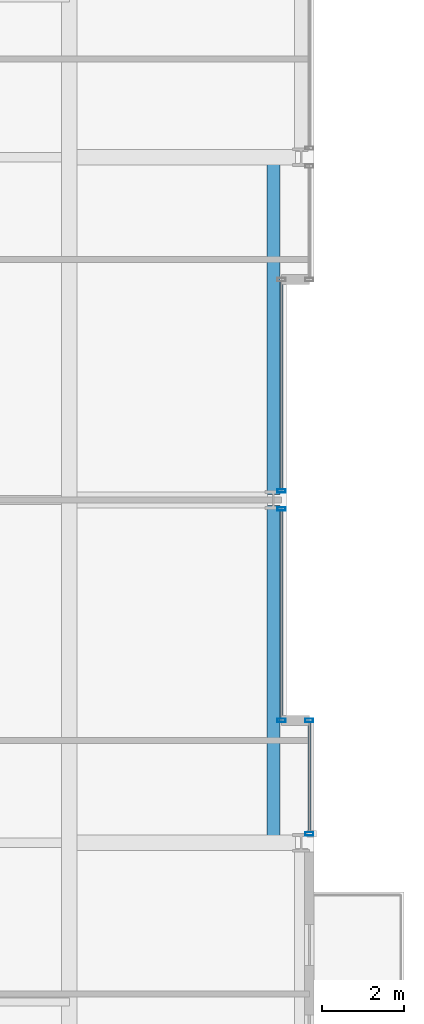
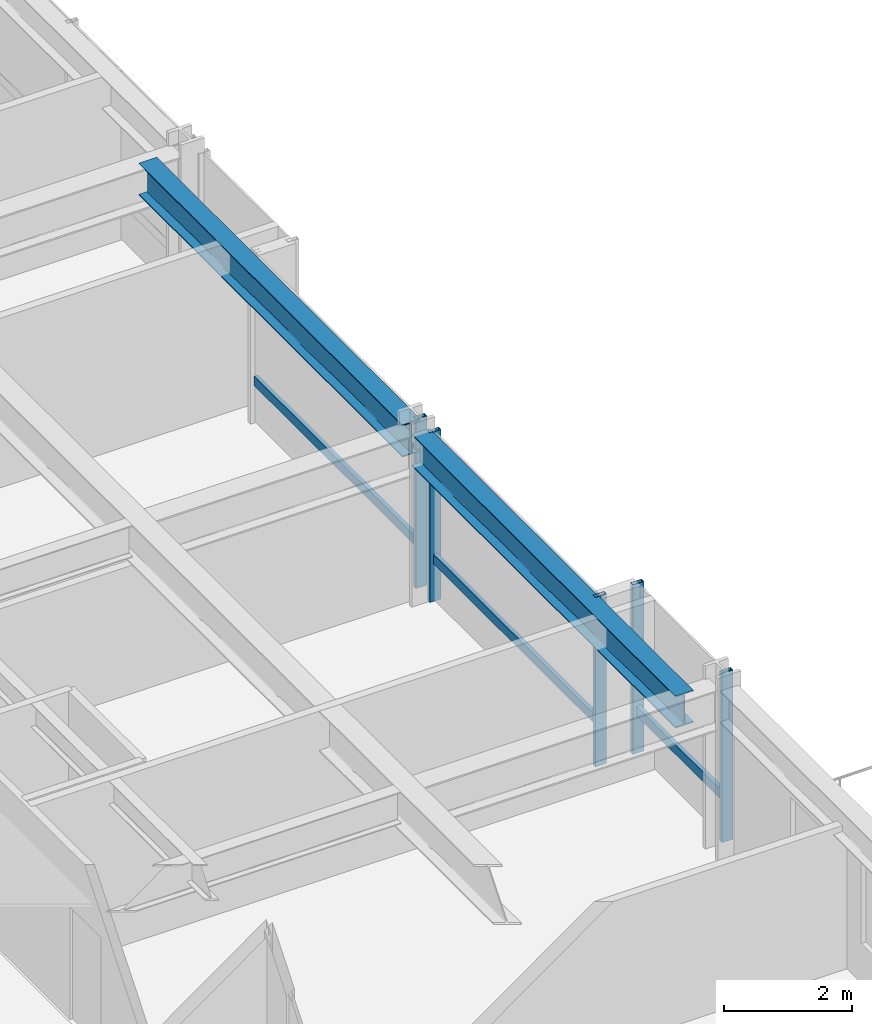
# One storey, part 15 of 34: 8 members, 2 beams, 3 elements without a shape of their own.
"""IFC4 building model written with IfcOpenShell, lengths in metres."""

from ifc_helpers import new_model, si_unit, direction, frame, origin, origin_2d, place, context, subcontext, project, spatial, hollow_rectangle, i_section, extrude, material, layer, layer_set, material_profile, profile_set, type_object, element, aggregate, save


model = new_model("IFC4")

# Units and contexts
model_context = context("Model", 3, precision=1e-05, world=origin(), true_north=direction((0.0, 1.0)))
body_context = subcontext(model_context, "Body", "Model", "MODEL_VIEW")
ifc_project = project(units=[si_unit("LENGTHUNIT", "METRE"), si_unit("AREAUNIT", "SQUARE_METRE"), si_unit("VOLUMEUNIT", "CUBIC_METRE"), si_unit("PLANEANGLEUNIT", "RADIAN"), si_unit("MASSUNIT", "GRAM", prefix="KILO")], contexts=[model_context])

# Site, building, storey
site_placement = place(None, origin())
site = spatial("IfcSite", under=ifc_project, at=site_placement, CompositionType="ELEMENT")
building_placement = place(site_placement, origin())
building = spatial("IfcBuilding", under=site, at=building_placement, Name="Drelvath Grand Hotel", CompositionType="ELEMENT")
storey_placement = place(building_placement, frame((0.0, 0.0, 91.800048828125)))
storey = spatial("IfcBuildingStorey", under=building, at=storey_placement, Name="L22", CompositionType="ELEMENT", Elevation=91.800048828125)

# Curtain wall, member
ifc_material_1 = material(Name="Champagne Bronze Anodised Aluminium Frame", Category="aluminium")
ifc_layer = layer(ifc_material_1, 0.199951171875)
ifc_layer_set = layer_set([ifc_layer], Name="Champagne Bronze Anodised Aluminium Frame")
curtain_wall_type = type_object("IfcCurtainWallType", Name="Stick Curtain Wall CW-03 Champagne Bronze Mid-Rise", PredefinedType="NOTDEFINED", material=ifc_layer_set)
curtain_wall_1_placement = place(storey_placement, origin())
curtain_wall_1 = element("IfcCurtainWall", 1, at=curtain_wall_1_placement, inside=storey, type_object=curtain_wall_type, Name="L22 CW-03 Curtain Wall CW03-L22-EM1", PredefinedType="NOTDEFINED")
ifc_material_profile_1 = material_profile(ifc_material_1, hollow_rectangle(XDim=0.074951171875, YDim=0.179931640625, WallThickness=0.0048828125, at=origin_2d()), Name="HSS180X75X5")
ifc_profile_set_1 = profile_set([ifc_material_profile_1], Name="Champagne Bronze Anodised Aluminium Frame")
member_type_1 = type_object("IfcMemberType", Name="Curtain Wall Horizontal Transom CW-03 HSS180X75X5", PredefinedType="USERDEFINED", material=ifc_profile_set_1)
member_1_placement = place(storey_placement, frame((21.39990234375, 26.740478515625, 0.81005859375), z_axis=(0.0, -1.0, 0.0), x_axis=(1.0, 0.0, 0.0)))
member_1 = element("IfcMember", 2, at=member_1_placement, type_object=member_type_1, Name="CW03-L22-EM1 Sill Transom", ObjectType="TRANSOM", PredefinedType="USERDEFINED", context=body_context, shape_type="SweptSolid", body=[
    extrude(hollow_rectangle(XDim=0.074951171875, YDim=0.179931640625, WallThickness=0.0048828125, at=origin_2d()), origin(), (0.0, 0.0, 1.0), 5.1005859375),
])

curtain_wall_2_placement = place(storey_placement, origin())
curtain_wall_2 = element("IfcCurtainWall", 3, at=curtain_wall_2_placement, inside=storey, type_object=curtain_wall_type, Name="L22 CW-03 Curtain Wall CW03-L22-EM2", PredefinedType="NOTDEFINED")
member_2_placement = place(storey_placement, frame((21.39990234375, 32.360107421875, 0.81005859375), z_axis=(0.0, -1.0, 0.0), x_axis=(1.0, 0.0, 0.0)))
member_2 = element("IfcMember", 4, at=member_2_placement, type_object=member_type_1, Name="CW03-L22-EM2 Sill Transom", ObjectType="TRANSOM", PredefinedType="USERDEFINED", context=body_context, shape_type="SweptSolid", body=[
    extrude(hollow_rectangle(XDim=0.074951171875, YDim=0.179931640625, WallThickness=0.0048828125, at=origin_2d()), origin(), (0.0, 0.0, 1.0), 5.1005859375),
])

curtain_wall_3_placement = place(storey_placement, origin())
curtain_wall_3 = element("IfcCurtainWall", 5, at=curtain_wall_3_placement, inside=storey, type_object=curtain_wall_type, Name="L22 CW-03 Curtain Wall CW03-L22-ES3", PredefinedType="NOTDEFINED")
member_3_placement = place(storey_placement, frame((22.080078125, 21.56005859375, 0.81005859375), z_axis=(0.0, -1.0, 0.0), x_axis=(1.0, 0.0, 0.0)))
member_3 = element("IfcMember", 6, at=member_3_placement, type_object=member_type_1, Name="CW03-L22-ES3 Sill Transom", ObjectType="TRANSOM", PredefinedType="USERDEFINED", context=body_context, shape_type="SweptSolid", body=[
    extrude(hollow_rectangle(XDim=0.074951171875, YDim=0.179931640625, WallThickness=0.0048828125, at=origin_2d()), origin(), (0.0, 0.0, 1.0), 2.700439453125),
])

# Member
ifc_material_profile_2 = material_profile(ifc_material_1, hollow_rectangle(XDim=0.080078125, YDim=0.199951171875, WallThickness=0.0048828125, at=origin_2d()), Name="HSS200X80X5")
ifc_profile_set_2 = profile_set([ifc_material_profile_2], Name="Champagne Bronze Anodised Aluminium Frame")
member_type_2 = type_object("IfcMemberType", Name="Curtain Wall Vertical Mullion CW-03 HSS200X80X5", PredefinedType="MULLION", material=ifc_profile_set_2)
member_4_placement = place(storey_placement, frame((21.39990234375, 26.780517578125, 0.0), z_axis=(0.0, 0.0, 1.0), x_axis=(0.0, 1.0, 0.0)))
member_4 = element("IfcMember", 7, at=member_4_placement, type_object=member_type_2, Name="CW03-L22-EM1 Mullion 1", PredefinedType="MULLION", context=body_context, shape_type="SweptSolid", body=[
    extrude(hollow_rectangle(XDim=0.080078125, YDim=0.199951171875, WallThickness=0.0048828125, at=origin_2d()), origin(), (0.0, 0.0, 1.0), 3.239990234375),
])

member_5_placement = place(storey_placement, frame((21.39990234375, 21.60009765625, 0.0), z_axis=(0.0, 0.0, 1.0), x_axis=(0.0, 1.0, 0.0)))
member_5 = element("IfcMember", 8, at=member_5_placement, type_object=member_type_2, Name="CW03-L22-EM1 Mullion 2", PredefinedType="MULLION", context=body_context, shape_type="SweptSolid", body=[
    extrude(hollow_rectangle(XDim=0.080078125, YDim=0.199951171875, WallThickness=0.0048828125, at=origin_2d()), origin(), (0.0, 0.0, 1.0), 3.239990234375),
])

aggregate(curtain_wall_1, [member_4, member_5, member_1])

member_6_placement = place(storey_placement, frame((21.39990234375, 27.219482421875, 0.0), z_axis=(0.0, 0.0, 1.0), x_axis=(0.0, 1.0, 0.0)))
member_6 = element("IfcMember", 9, at=member_6_placement, type_object=member_type_2, Name="CW03-L22-EM2 Mullion 2", PredefinedType="MULLION", context=body_context, shape_type="SweptSolid", body=[
    extrude(hollow_rectangle(XDim=0.080078125, YDim=0.199951171875, WallThickness=0.0048828125, at=origin_2d()), origin(), (0.0, 0.0, 1.0), 3.239990234375),
])

aggregate(curtain_wall_2, [member_6, member_2])

member_7_placement = place(storey_placement, frame((22.080078125, 21.60009765625, 0.0), z_axis=(0.0, 0.0, 1.0), x_axis=(0.0, 1.0, 0.0)))
member_7 = element("IfcMember", 10, at=member_7_placement, type_object=member_type_2, Name="CW03-L22-ES3 Mullion 1", PredefinedType="MULLION", context=body_context, shape_type="SweptSolid", body=[
    extrude(hollow_rectangle(XDim=0.080078125, YDim=0.199951171875, WallThickness=0.0048828125, at=origin_2d()), origin(), (0.0, 0.0, 1.0), 3.239990234375),
])

member_8_placement = place(storey_placement, frame((22.080078125, 18.819580078125, 0.0), z_axis=(0.0, 0.0, 1.0), x_axis=(0.0, 1.0, 0.0)))
member_8 = element("IfcMember", 11, at=member_8_placement, type_object=member_type_2, Name="CW03-L22-ES3 Mullion 2", PredefinedType="MULLION", context=body_context, shape_type="SweptSolid", body=[
    extrude(hollow_rectangle(XDim=0.080078125, YDim=0.199951171875, WallThickness=0.0048828125, at=origin_2d()), origin(), (0.0, 0.0, 1.0), 3.239990234375),
])

aggregate(curtain_wall_3, [member_7, member_8, member_3])

# Beams
ifc_material_2 = material(Name="Steel ASTM A992 Gr 50", Category="steel")
ifc_material_profile_3 = material_profile(ifc_material_2, i_section(OverallWidth=0.323974609375, OverallDepth=0.611083984375, WebThickness=0.0126953125, FlangeThickness=0.01904296875, FilletRadius=0.02197265625, at=origin_2d()), Name="W24X104")
ifc_profile_set_3 = profile_set([ifc_material_profile_3], Name="Steel ASTM A992 Gr 50")
beam_type = type_object("IfcBeamType", Name="Perimeter Spandrel Beam W24X104", PredefinedType="SPANDREL", material=ifc_profile_set_3)
for number, where, z_axis, x_axis, name in (
    (12, (21.199951171875, 18.60009765625, 2.9345703125), (0.0, 1.0, 0.0), (-1.0, 0.0, 0.0), "L22 Spandrel East Mid S"),
    (13, (21.199951171875, 27.139892578125, 2.9345703125), (0.0, 1.0, 0.0), (-1.0, 0.0, 0.0), "L22 Spandrel East Mid N"),
):
    element("IfcBeam", number, at=place(storey_placement, frame(where, z_axis=z_axis, x_axis=x_axis)), inside=storey, type_object=beam_type, Name=name, PredefinedType="SPANDREL", context=body_context, shape_type="SweptSolid", body=[
        extrude(i_section(OverallWidth=0.323974609375, OverallDepth=0.611083984375, WebThickness=0.0126953125, FlangeThickness=0.01904296875, FilletRadius=0.02197265625, at=origin_2d()), origin(), (0.0, 0.0, 1.0), 8.260009765625),
    ])

save(model, "model.ifc")
